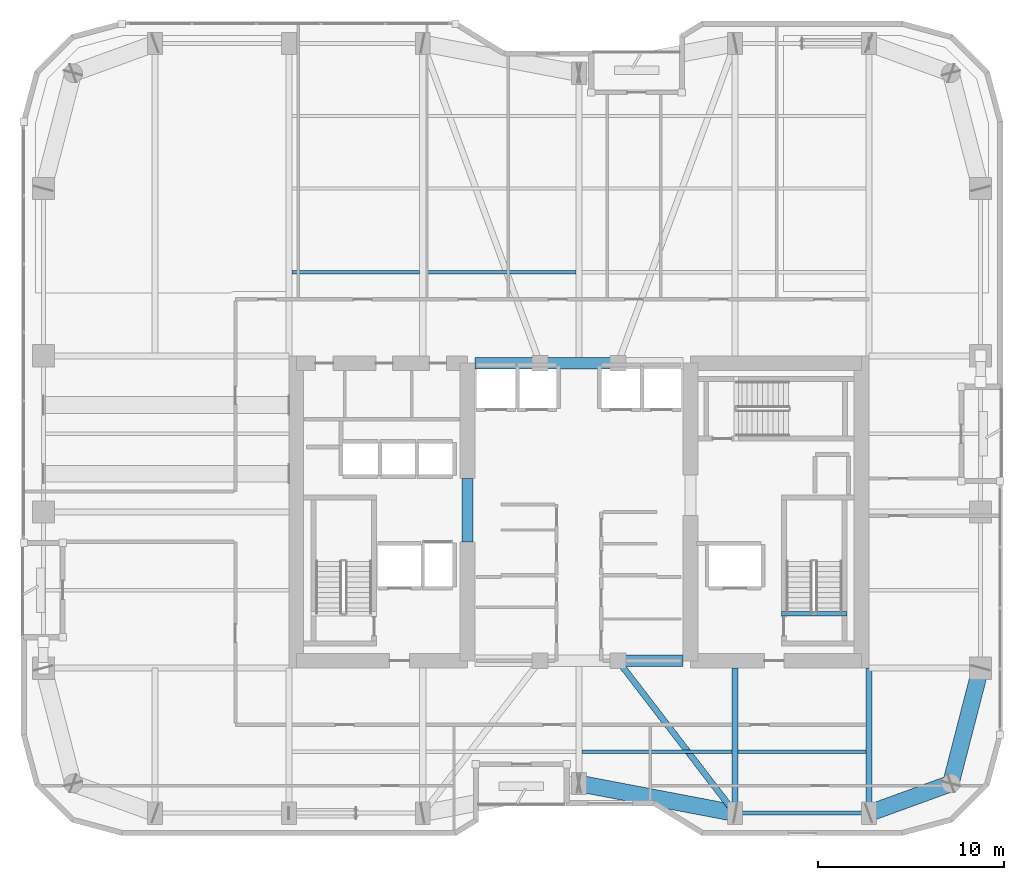
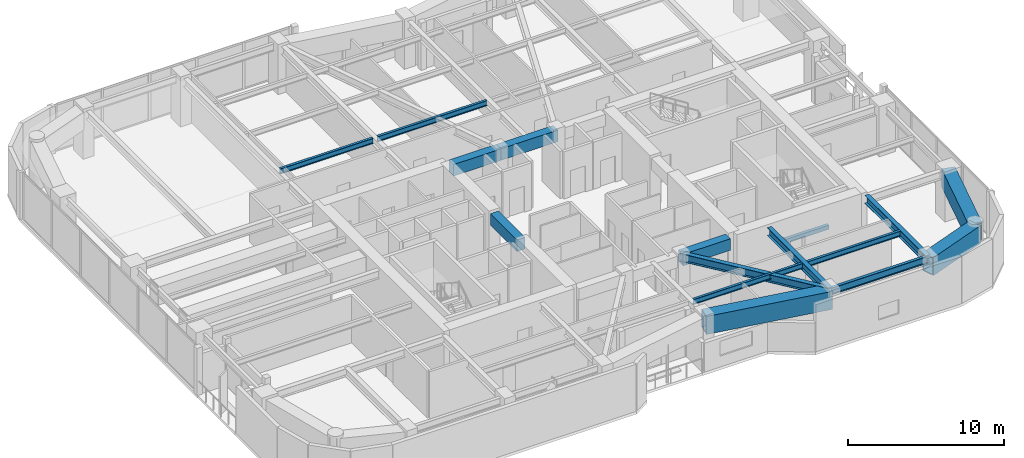
# One storey, part 8 of 30: 16 beams.
"""IFC4 building model written with IfcOpenShell, lengths in metres."""

from ifc_helpers import new_model, si_unit, direction, frame, origin, origin_2d, place, context, subcontext, project, spatial, rectangle, hollow_rectangle, i_section, extrude, material, material_profile, profile_set, type_object, element, save


model = new_model("IFC4")

# Units and contexts
model_context = context("Model", 3, precision=1e-05, world=origin(), true_north=direction((0.0, 1.0)))
body_context = subcontext(model_context, "Body", "Model", "MODEL_VIEW")
ifc_project = project(units=[si_unit("LENGTHUNIT", "METRE"), si_unit("AREAUNIT", "SQUARE_METRE"), si_unit("VOLUMEUNIT", "CUBIC_METRE"), si_unit("PLANEANGLEUNIT", "RADIAN"), si_unit("MASSUNIT", "GRAM", prefix="KILO")], contexts=[model_context])

# Site, building, storey
site_placement = place(None, origin())
site = spatial("IfcSite", under=ifc_project, at=site_placement, CompositionType="ELEMENT")
building_placement = place(site_placement, origin())
building = spatial("IfcBuilding", under=site, at=building_placement, Name="Kiyonajd Concourse Tower", CompositionType="ELEMENT")
storey_placement = place(building_placement, frame((0.0, 0.0, 177.89990234375)))
storey = spatial("IfcBuildingStorey", under=building, at=storey_placement, Name="L45", CompositionType="ELEMENT", Elevation=177.89990234375)

# Beams
ifc_material_1 = material(Name="Concrete C60/75", Category="concrete")
ifc_material_profile_1 = material_profile(ifc_material_1, rectangle(XDim=0.60009765625, YDim=0.89990234375, at=origin_2d()), Name="RCBM-600x900")
ifc_profile_set_1 = profile_set([ifc_material_profile_1], Name="Concrete C60/75")
beam_type_1 = type_object("IfcBeamType", Name="BM-COUP-900", PredefinedType="LINTEL", material=ifc_profile_set_1)
for number, where, z_axis, x_axis, name in (
    (1, (50.10009765625, 28.0, 3.22998046875), (1.0, 0.0, 0.0), (0.0, 1.0, 0.0), "L45 Core Coupling Beam S3"),
    (2, (42.39990234375, 44.0, 3.22998046875), (1.0, 0.0, 0.0), (0.0, 1.0, 0.0), "L45 Core Coupling Beam N1"),
):
    element("IfcBeam", number, at=place(storey_placement, frame(where, z_axis=z_axis, x_axis=x_axis)), inside=storey, type_object=beam_type_1, Name=name, PredefinedType="LINTEL", context=body_context, shape_type="SweptSolid", body=[
        extrude(rectangle(XDim=0.60009765625, YDim=0.89990234375, at=origin_2d()), origin(), (0.0, 0.0, 1.0), 3.5),
    ])
beam_1_placement = place(storey_placement, frame((45.89990234375, 44.0, 3.22998046875), z_axis=(1.0, 0.0, 0.0), x_axis=(0.0, 1.0, 0.0)))
element("IfcBeam", 3, at=beam_1_placement, inside=storey, type_object=beam_type_1, Name="L45 Core Coupling Beam N2", PredefinedType="LINTEL", context=body_context, shape_type="SweptSolid", body=[
    extrude(rectangle(XDim=0.60009765625, YDim=0.89990234375, at=origin_2d()), origin(), (0.0, 0.0, 1.0), 4.2001953125),
])
beam_2_placement = place(storey_placement, frame((42.0, 34.39990234375, 3.22998046875), z_axis=(0.0, 1.0, 0.0), x_axis=(-1.0, 0.0, 0.0)))
element("IfcBeam", 4, at=beam_2_placement, inside=storey, type_object=beam_type_1, Name="L45 West Core Throat Coupling Lintel", PredefinedType="LINTEL", context=body_context, shape_type="SweptSolid", body=[
    extrude(rectangle(XDim=0.60009765625, YDim=0.89990234375, at=origin_2d()), origin(), (0.0, 0.0, 1.0), 3.400146484375),
])
ifc_material_2 = material(Name="Steel ASTM A992 Grade 50", Category="steel")
ifc_material_profile_2 = material_profile(ifc_material_2, i_section(OverallWidth=0.180908203125, OverallDepth=0.4169921875, WebThickness=0.010986328125, FlangeThickness=0.018310546875, at=origin_2d()), Name="W410X85")
ifc_profile_set_2 = profile_set([ifc_material_profile_2], Name="Steel ASTM A992 Grade 50")
beam_type_2 = type_object("IfcBeamType", Name="BM-JST-410", PredefinedType="JOIST", material=ifc_profile_set_2)
beam_3_placement = place(storey_placement, frame((48.16357421875, 23.10009765625, 3.4716796875), z_axis=(1.0, 0.0, 0.0), x_axis=(0.0, 1.0, 0.0)))
element("IfcBeam", 5, at=beam_3_placement, inside=storey, type_object=beam_type_2, Name="L45 Secondary Floor Joist", PredefinedType="JOIST", context=body_context, shape_type="SweptSolid", body=[
    extrude(i_section(OverallWidth=0.180908203125, OverallDepth=0.4169921875, WebThickness=0.010986328125, FlangeThickness=0.018310546875, at=origin_2d()), origin(), (0.0, 0.0, 1.0), 8.072998046875),
])
for number, where, z_axis, x_axis, name in (
    (6, (56.5634765625, 23.10009765625, 3.4716796875), (1.0, 0.0, 0.0), (0.0, 1.0, 0.0), "L45 Secondary Floor Joist"),
    (7, (32.5634765625, 48.89990234375, 3.4716796875), (1.0, 0.0, 0.0), (0.0, 1.0, 0.0), "L45 Secondary Floor Joist"),
):
    element("IfcBeam", number, at=place(storey_placement, frame(where, z_axis=z_axis, x_axis=x_axis)), inside=storey, type_object=beam_type_2, Name=name, PredefinedType="JOIST", context=body_context, shape_type="SweptSolid", body=[
        extrude(i_section(OverallWidth=0.180908203125, OverallDepth=0.4169921875, WebThickness=0.010986328125, FlangeThickness=0.018310546875, at=origin_2d()), origin(), (0.0, 0.0, 1.0), 6.873046875),
    ])
beam_4_placement = place(storey_placement, frame((39.763427734375, 48.89990234375, 3.4716796875), z_axis=(1.0, 0.0, 0.0), x_axis=(0.0, 1.0, 0.0)))
element("IfcBeam", 8, at=beam_4_placement, inside=storey, type_object=beam_type_2, Name="L45 Secondary Floor Joist", PredefinedType="JOIST", context=body_context, shape_type="SweptSolid", body=[
    extrude(i_section(OverallWidth=0.180908203125, OverallDepth=0.4169921875, WebThickness=0.010986328125, FlangeThickness=0.018310546875, at=origin_2d()), origin(), (0.0, 0.0, 1.0), 8.072998046875),
])
ifc_material_3 = material(Name="Concrete C50/60", Category="concrete")
ifc_material_profile_3 = material_profile(ifc_material_3, rectangle(XDim=0.239990234375, YDim=0.320068359375, at=origin_2d()), Name="RCBM-240x320")
ifc_profile_set_3 = profile_set([ifc_material_profile_3], Name="Concrete C50/60")
beam_type_3 = type_object("IfcBeamType", Name="BM-LNT-250", PredefinedType="LINTEL", material=ifc_profile_set_3)
beam_5_placement = place(storey_placement, frame((58.889892578125, 30.530029296875, -0.159912109375), z_axis=(1.0, 0.0, 0.0), x_axis=(0.0, 1.0, 0.0)))
element("IfcBeam", 9, at=beam_5_placement, inside=storey, type_object=beam_type_3, Name="L45 Stair ST2 Threshold Support Beam", PredefinedType="LINTEL", context=body_context, shape_type="SweptSolid", body=[
    extrude(rectangle(XDim=0.239990234375, YDim=0.320068359375, at=origin_2d()), origin(), (0.0, 0.0, 1.0), 3.52001953125),
])
ifc_material_profile_4 = material_profile(ifc_material_2, i_section(OverallWidth=0.214111328125, OverallDepth=0.549072265625, WebThickness=0.0146484375, FlangeThickness=0.023681640625, at=origin_2d()), Name="W530X138")
ifc_profile_set_4 = profile_set([ifc_material_profile_4], Name="Steel ASTM A992 Grade 50")
beam_type_4 = type_object("IfcBeamType", Name="BM-SPAN-530A", PredefinedType="SPANDREL", material=ifc_profile_set_4)
beam_6_placement = place(storey_placement, frame((56.39990234375, 19.800048828125, 3.405517578125), z_axis=(1.0, 0.0, 0.0), x_axis=(0.0, 1.0, 0.0)))
element("IfcBeam", 10, at=beam_6_placement, inside=storey, type_object=beam_type_4, Name="L45 Perimeter Bundled Tube Spandrel", PredefinedType="SPANDREL", context=body_context, shape_type="SweptSolid", body=[
    extrude(i_section(OverallWidth=0.214111328125, OverallDepth=0.549072265625, WebThickness=0.0146484375, FlangeThickness=0.023681640625, at=origin_2d()), origin(), (0.0, 0.0, 1.0), 7.2001953125),
])
ifc_material_profile_5 = material_profile(ifc_material_2, i_section(OverallWidth=0.326904296875, OverallDepth=0.6220703125, WebThickness=0.015380859375, FlangeThickness=0.0244140625, at=origin_2d()), Name="W610X195")
ifc_profile_set_5 = profile_set([ifc_material_profile_5], Name="Steel ASTM A992 Grade 50")
beam_type_5 = type_object("IfcBeamType", Name="BM-TWR-610A", PredefinedType="BEAM", material=ifc_profile_set_5)
beam_7_placement = place(storey_placement, frame((50.10009765625, 28.0, 3.369140625), z_axis=(0.609233709922, -0.792990722956, 0.0), x_axis=(0.792990722956, 0.609233709922, 0.0)))
element("IfcBeam", 11, at=beam_7_placement, inside=storey, type_object=beam_type_5, Name="L45 Core Tie Girder", PredefinedType="BEAM", context=body_context, shape_type="SweptSolid", body=[
    extrude(i_section(OverallWidth=0.326904296875, OverallDepth=0.6220703125, WebThickness=0.015380859375, FlangeThickness=0.0244140625, at=origin_2d()), origin(), (0.0, 0.0, 1.0), 10.340576171875),
])
for number, where, z_axis, x_axis, name in (
    (12, (56.39990234375, 19.800048828125, 3.369140625), (0.0, 1.0, 0.0), (-1.0, 0.0, 0.0), "L45 South Lease Girder"),
    (13, (63.60009765625, 19.800048828125, 3.369140625), (0.0, 1.0, 0.0), (-1.0, 0.0, 0.0), "L45 South Lease Girder"),
):
    element("IfcBeam", number, at=place(storey_placement, frame(where, z_axis=z_axis, x_axis=x_axis)), inside=storey, type_object=beam_type_5, Name=name, PredefinedType="BEAM", context=body_context, shape_type="SweptSolid", body=[
        extrude(i_section(OverallWidth=0.326904296875, OverallDepth=0.6220703125, WebThickness=0.015380859375, FlangeThickness=0.0244140625, at=origin_2d()), origin(), (0.0, 0.0, 1.0), 7.800048828125),
    ])
ifc_material_4 = material(Name="Steel ASTM A572 Grade 50", Category="steel")
ifc_material_profile_6 = material_profile(ifc_material_4, hollow_rectangle(XDim=0.89990234375, YDim=1.39990234375, WallThickness=0.070068359375, at=origin_2d()), Name="BOX-1400x900x70")
ifc_profile_set_6 = profile_set([ifc_material_profile_6], Name="Steel ASTM A572 Grade 50")
beam_type_6 = type_object("IfcBeamType", Name="BM-XFER-1400", PredefinedType="BEAM", material=ifc_profile_set_6)
beam_8_placement = place(storey_placement, frame((48.0, 21.39990234375, 2.97998046875), z_axis=(0.982341315253, -0.187097675953, 0.0), x_axis=(0.187097675953, 0.982341315253, 0.0)))
element("IfcBeam", 14, at=beam_8_placement, inside=storey, type_object=beam_type_6, Name="L45 Perimeter Bundled Tube Spandrel", PredefinedType="BEAM", context=body_context, shape_type="SweptSolid", body=[
    extrude(hollow_rectangle(XDim=0.89990234375, YDim=1.39990234375, WallThickness=0.070068359375, at=origin_2d()), origin(), (0.0, 0.0, 1.0), 8.55078125),
])
beam_9_placement = place(storey_placement, frame((63.60009765625, 19.800048828125, 2.97998046875), z_axis=(0.939801036019, 0.341722127901, 0.0), x_axis=(-0.341722127901, 0.939801036019, 0.0)))
element("IfcBeam", 15, at=beam_9_placement, inside=storey, type_object=beam_type_6, Name="L45 Perimeter Bundled Tube Spandrel", PredefinedType="BEAM", context=body_context, shape_type="SweptSolid", body=[
    extrude(hollow_rectangle(XDim=0.89990234375, YDim=1.39990234375, WallThickness=0.070068359375, at=origin_2d()), origin(), (0.0, 0.0, 1.0), 4.681640625),
])
beam_10_placement = place(storey_placement, frame((68.0, 21.39990234375, 2.97998046875), z_axis=(0.249884937687, 0.968275538221, 0.0), x_axis=(-0.968275538221, 0.249884937687, 0.0)))
element("IfcBeam", 16, at=beam_10_placement, inside=storey, type_object=beam_type_6, Name="L45 Perimeter Bundled Tube Spandrel", PredefinedType="BEAM", context=body_context, shape_type="SweptSolid", body=[
    extrude(hollow_rectangle(XDim=0.89990234375, YDim=1.39990234375, WallThickness=0.070068359375, at=origin_2d()), origin(), (0.0, 0.0, 1.0), 6.4033203125),
])

save(model, "model.ifc")
